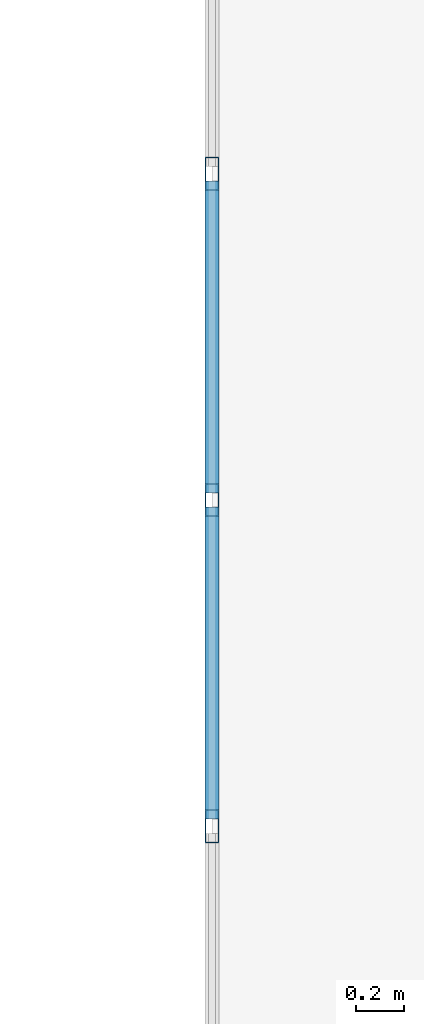
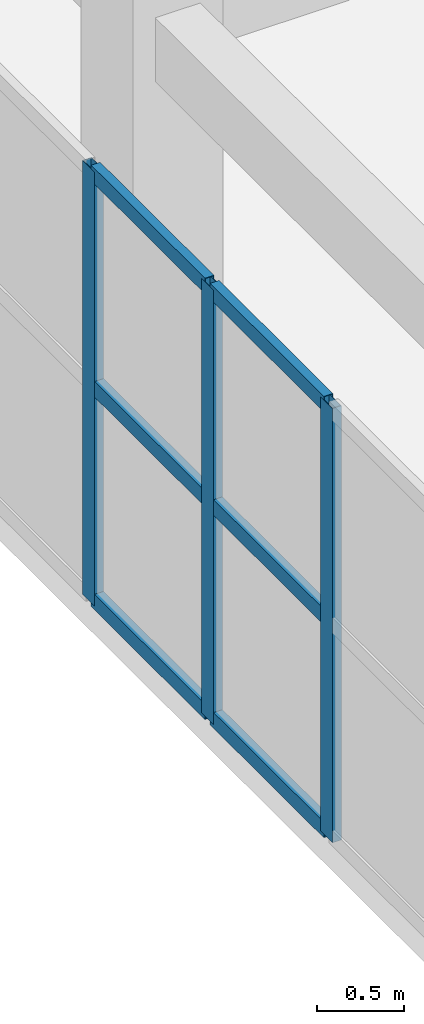
# One storey, part 81 of 200: 9 members, 1 element without a shape of its own.
"""IFC4 building model written with IfcOpenShell, lengths in metres."""

from ifc_helpers import new_model, si_unit, direction, frame, origin, origin_2d, place, context, subcontext, project, spatial, hollow_rectangle, extrude, material, layer, layer_set, material_profile, profile_set, type_object, element, aggregate, save


model = new_model("IFC4")

# Units and contexts
model_context = context("Model", 3, precision=1e-05, world=origin(), true_north=direction((0.0, 1.0)))
body_context = subcontext(model_context, "Body", "Model", "MODEL_VIEW")
ifc_project = project(units=[si_unit("LENGTHUNIT", "METRE"), si_unit("AREAUNIT", "SQUARE_METRE"), si_unit("VOLUMEUNIT", "CUBIC_METRE"), si_unit("PLANEANGLEUNIT", "RADIAN"), si_unit("MASSUNIT", "GRAM", prefix="KILO")], contexts=[model_context])

# Site, building, storey
site_placement = place(None, origin())
site = spatial("IfcSite", under=ifc_project, at=site_placement, CompositionType="ELEMENT")
building_placement = place(site_placement, origin())
building = spatial("IfcBuilding", under=site, at=building_placement, Name="Trelvath General Hospital", CompositionType="ELEMENT")
storey_placement = place(building_placement, frame((0.0, 0.0, 4.800048828125)))
storey = spatial("IfcBuildingStorey", under=building, at=storey_placement, Name="L01", CompositionType="ELEMENT", Elevation=4.800048828125)

# Curtain wall, members
ifc_material_1 = material(Name="Anodised aluminium and low-E glass", Category="aluminium")
ifc_layer = layer(ifc_material_1, 0.14990234375)
ifc_layer_set = layer_set([ifc_layer], Name="Anodised aluminium and low-E glass")
curtain_wall_type = type_object("IfcCurtainWallType", Name="CW CrystalCube 824 306 15", PredefinedType="USERDEFINED", material=ifc_layer_set)
curtain_wall_placement = place(storey_placement, origin())
curtain_wall = element("IfcCurtainWall", 1, at=curtain_wall_placement, inside=storey, type_object=curtain_wall_type, Name="Crystal Cube Curtain Wall CUBE-W-T0 W5 L01", ObjectType="Unitised Glazed Curtain Wall", PredefinedType="USERDEFINED")
ifc_material_2 = material(Name="Anodised aluminium", Category="aluminium")
ifc_material_profile_1 = material_profile(ifc_material_2, hollow_rectangle(XDim=0.06005859375, YDim=0.139892578125, WallThickness=0.00390625, at=origin_2d()), Name="RHS60x140x4")
ifc_profile_set_1 = profile_set([ifc_material_profile_1], Name="Anodised aluminium")
member_type_1 = type_object("IfcMemberType", Name="CurtainMullion 60x140", PredefinedType="MULLION", material=ifc_profile_set_1)
member_1_placement = place(storey_placement, frame((46.800048828125, 68.6533203125, 0.0), z_axis=(0.0, 0.0, 1.0), x_axis=(-1.0, 0.0, 0.0)))
member_1 = element("IfcMember", 2, at=member_1_placement, type_object=member_type_1, Name="CW-144 mullion 2", PredefinedType="MULLION", context=body_context, shape_type="SweptSolid", body=[
    extrude(hollow_rectangle(XDim=0.06005859375, YDim=0.139892578125, WallThickness=0.00390625, at=origin_2d()), origin(), (0.0, 0.0, 1.0), 3.06005859375),
])
member_2_placement = place(storey_placement, frame((46.800048828125, 70.026611328125, 0.0), z_axis=(0.0, 0.0, 1.0), x_axis=(-1.0, 0.0, 0.0)))
member_2 = element("IfcMember", 3, at=member_2_placement, type_object=member_type_1, Name="CW-144 mullion 3", PredefinedType="MULLION", context=body_context, shape_type="SweptSolid", body=[
    extrude(hollow_rectangle(XDim=0.06005859375, YDim=0.139892578125, WallThickness=0.00390625, at=origin_2d()), origin(), (0.0, 0.0, 1.0), 3.06005859375),
])
member_3_placement = place(storey_placement, frame((46.800048828125, 71.39990234375, 0.0), z_axis=(0.0, 0.0, 1.0), x_axis=(-1.0, 0.0, 0.0)))
member_3 = element("IfcMember", 4, at=member_3_placement, type_object=member_type_1, Name="CW-144 mullion 4", PredefinedType="MULLION", context=body_context, shape_type="SweptSolid", body=[
    extrude(hollow_rectangle(XDim=0.06005859375, YDim=0.139892578125, WallThickness=0.00390625, at=origin_2d()), origin(), (0.0, 0.0, 1.0), 3.06005859375),
])
ifc_material_3 = material(Name="Anodised aluminium", Category="aluminium")
ifc_material_profile_2 = material_profile(ifc_material_3, hollow_rectangle(XDim=0.06005859375, YDim=0.110107421875, WallThickness=0.00390625, at=origin_2d()), Name="RHS60x110x4")
ifc_profile_set_2 = profile_set([ifc_material_profile_2], Name="Anodised aluminium")
member_type_2 = type_object("IfcMemberType", Name="CurtainTransom 60x110", PredefinedType="USERDEFINED", material=ifc_profile_set_2)
member_4_placement = place(storey_placement, frame((46.800048828125, 68.683349609375, 0.030029296875), z_axis=(0.0, 1.0, 0.0), x_axis=(-1.0, 0.0, 0.0)))
member_4 = element("IfcMember", 5, at=member_4_placement, type_object=member_type_2, Name="CW-144 transom 2.1", ObjectType="TRANSOM", PredefinedType="USERDEFINED", context=body_context, shape_type="SweptSolid", body=[
    extrude(hollow_rectangle(XDim=0.06005859375, YDim=0.110107421875, WallThickness=0.00390625, at=origin_2d()), origin(), (0.0, 0.0, 1.0), 1.313232421875),
])
member_5_placement = place(storey_placement, frame((46.800048828125, 68.683349609375, 1.530029296875), z_axis=(0.0, 1.0, 0.0), x_axis=(-1.0, 0.0, 0.0)))
member_5 = element("IfcMember", 6, at=member_5_placement, type_object=member_type_2, Name="CW-144 transom 2.2", ObjectType="TRANSOM", PredefinedType="USERDEFINED", context=body_context, shape_type="SweptSolid", body=[
    extrude(hollow_rectangle(XDim=0.06005859375, YDim=0.110107421875, WallThickness=0.00390625, at=origin_2d()), origin(), (0.0, 0.0, 1.0), 1.313232421875),
])
member_6_placement = place(storey_placement, frame((46.800048828125, 68.683349609375, 3.030029296875), z_axis=(0.0, 1.0, 0.0), x_axis=(-1.0, 0.0, 0.0)))
member_6 = element("IfcMember", 7, at=member_6_placement, type_object=member_type_2, Name="CW-144 transom 2.3", ObjectType="TRANSOM", PredefinedType="USERDEFINED", context=body_context, shape_type="SweptSolid", body=[
    extrude(hollow_rectangle(XDim=0.06005859375, YDim=0.110107421875, WallThickness=0.00390625, at=origin_2d()), origin(), (0.0, 0.0, 1.0), 1.313232421875),
])
member_7_placement = place(storey_placement, frame((46.800048828125, 70.056640625, 0.030029296875), z_axis=(0.0, 1.0, 0.0), x_axis=(-1.0, 0.0, 0.0)))
member_7 = element("IfcMember", 8, at=member_7_placement, type_object=member_type_2, Name="CW-144 transom 3.1", ObjectType="TRANSOM", PredefinedType="USERDEFINED", context=body_context, shape_type="SweptSolid", body=[
    extrude(hollow_rectangle(XDim=0.06005859375, YDim=0.110107421875, WallThickness=0.00390625, at=origin_2d()), origin(), (0.0, 0.0, 1.0), 1.3134765625),
])
member_8_placement = place(storey_placement, frame((46.800048828125, 70.056640625, 1.530029296875), z_axis=(0.0, 1.0, 0.0), x_axis=(-1.0, 0.0, 0.0)))
member_8 = element("IfcMember", 9, at=member_8_placement, type_object=member_type_2, Name="CW-144 transom 3.2", ObjectType="TRANSOM", PredefinedType="USERDEFINED", context=body_context, shape_type="SweptSolid", body=[
    extrude(hollow_rectangle(XDim=0.06005859375, YDim=0.110107421875, WallThickness=0.00390625, at=origin_2d()), origin(), (0.0, 0.0, 1.0), 1.3134765625),
])
member_9_placement = place(storey_placement, frame((46.800048828125, 70.056640625, 3.030029296875), z_axis=(0.0, 1.0, 0.0), x_axis=(-1.0, 0.0, 0.0)))
member_9 = element("IfcMember", 10, at=member_9_placement, type_object=member_type_2, Name="CW-144 transom 3.3", ObjectType="TRANSOM", PredefinedType="USERDEFINED", context=body_context, shape_type="SweptSolid", body=[
    extrude(hollow_rectangle(XDim=0.06005859375, YDim=0.110107421875, WallThickness=0.00390625, at=origin_2d()), origin(), (0.0, 0.0, 1.0), 1.3134765625),
])
aggregate(curtain_wall, [member_1, member_2, member_3, member_4, member_5, member_6, member_7, member_8, member_9])

save(model, "model.ifc")
